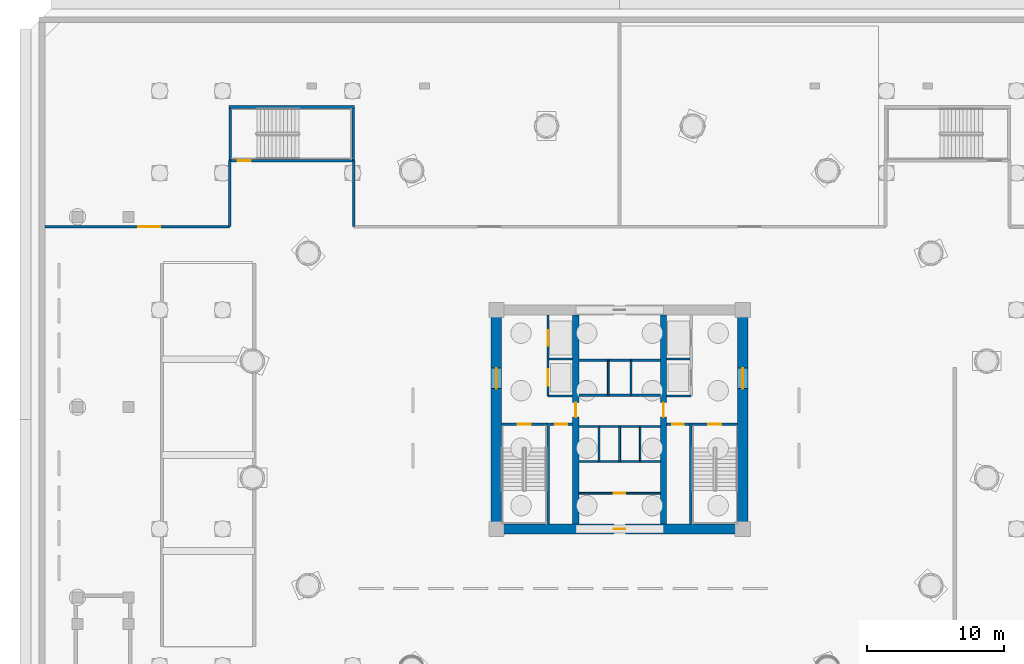
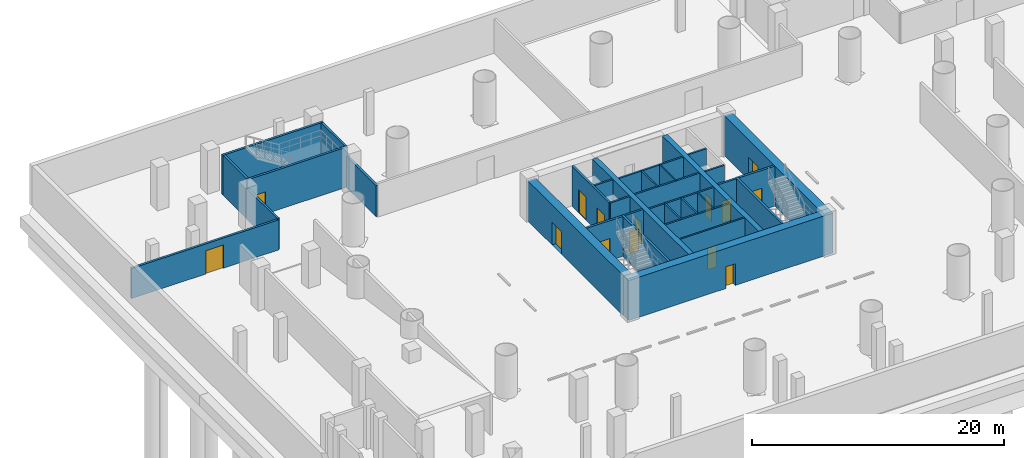
# One storey, part 3 of 11: 33 walls, 14 doors, 14 openings.
"""IFC4 building model written with IfcOpenShell, lengths in metres."""

from ifc_helpers import new_model, si_unit, direction, frame, frame_2d, origin, place, context, subcontext, project, spatial, rectangle, extrude, source, transform, mapped, material, layer, layer_set, type_object, element, fill, save


model = new_model("IFC4")

# Units and contexts
model_context = context("Model", 3, precision=1e-05, world=origin(), true_north=direction((-0.2419218956, 0.970295726276)))
body_context = subcontext(model_context, "Body", "Model", "MODEL_VIEW")
ifc_project = project(units=[si_unit("LENGTHUNIT", "METRE"), si_unit("AREAUNIT", "SQUARE_METRE"), si_unit("VOLUMEUNIT", "CUBIC_METRE"), si_unit("PLANEANGLEUNIT", "RADIAN"), si_unit("MASSUNIT", "GRAM", prefix="KILO")], contexts=[model_context])

# Site, building, storey
site_placement = place(None, origin())
site = spatial("IfcSite", under=ifc_project, at=site_placement, CompositionType="ELEMENT")
building_placement = place(site_placement, origin())
building = spatial("IfcBuilding", under=site, at=building_placement, Name="Cobrevalo Terracotta Tower", CompositionType="ELEMENT")
storey_placement = place(building_placement, frame((0.0, 0.0, -8.39990234375)))
storey = spatial("IfcBuildingStorey", under=building, at=storey_placement, Name="B02", CompositionType="ELEMENT", Elevation=-8.39990234375)

# Wall, opening, door
ifc_material_1 = material(Name="Concrete C60", Category="concrete")
ifc_layer_1 = layer(ifc_material_1, 0.75)
ifc_layer_set_1 = layer_set([ifc_layer_1], Name="Concrete C60")
wall_type_1 = type_object("IfcWallType", Name="Core shear wall 750 mm Concrete C60", PredefinedType="SHEAR", material=ifc_layer_set_1)
wall_1_placement = place(storey_placement, frame((28.625, 18.800048828125, 0.0), z_axis=(0.0, 0.0, 1.0), x_axis=(1.0, 0.0, 0.0)))
wall_1 = element("IfcWall", 1, at=wall_1_placement, inside=storey, type_object=wall_type_1, Name="B02 south core shear wall", PredefinedType="SHEAR", context=body_context, shape_type="SweptSolid", body=[
    extrude(rectangle(XDim=18.75, YDim=0.75, at=frame_2d((9.375, 0.0))), origin(), (0.0, 0.0, 1.0), 3.8798828125),
])
opening_1_placement = place(wall_1_placement, frame((8.949951171875, 0.0, 0.0)))
opening_1 = element("IfcOpeningElement", 2, at=opening_1_placement, cuts=wall_1, Name="Opening ID-22", PredefinedType="OPENING", context=body_context, shape_type="SweptSolid", body=[
    extrude(rectangle(XDim=0.85009765625, YDim=2.10009765625, at=frame_2d((0.425048828125, 1.050048828125))), frame((0.0, 0.385009765625, 0.0), z_axis=(0.0, -1.0, 0.0), x_axis=(1.0, 0.0, 0.0)), (0.0, 0.0, 1.0), 0.77001953125),
])
ifc_material_2 = material(Name="Powder-coated steel", Category="steel")
door_type_1 = type_object("IfcDoorType", Name="Riser shaft & meter closet fire access door 850x2100 EI 60", OperationType="NOTDEFINED", PredefinedType="DOOR", material=ifc_material_2)
shared_shape_1 = source(origin(), body_context, "Body", "SweptSolid", [
    extrude(rectangle(XDim=0.85009765625, YDim=2.10009765625, at=frame_2d((0.425048828125, 1.050048828125))), frame((0.0, 0.02490234375, 0.0), z_axis=(0.0, -1.0, 0.0), x_axis=(1.0, 0.0, 0.0)), (0.0, 0.0, 1.0), 0.050048828125),
])
door_1_placement = place(opening_1_placement, origin())
door_1 = element("IfcDoor", 3, at=door_1_placement, inside=storey, type_object=door_type_1, Name="B02 core south plant door Smoke Extract Fan Plant", OperationType="SINGLE_SWING_RIGHT", OverallHeight=2.10009765625, OverallWidth=0.85009765625, PredefinedType="DOOR", context=body_context, shape_type="MappedRepresentation", body=[
    mapped(shared_shape_1, transform((0.0, 0.0, 0.0), scale=1.0)),
])
fill(opening_1, door_1)

wall_2_placement = place(storey_placement, frame((29.0, 19.175048828125, 0.0), z_axis=(0.0, 0.0, 1.0), x_axis=(0.0, 1.0, 0.0)))
wall_2 = element("IfcWall", 4, at=wall_2_placement, inside=storey, type_object=wall_type_1, Name="B02 west core shear wall", PredefinedType="SHEAR", context=body_context, shape_type="SweptSolid", body=[
    extrude(rectangle(XDim=15.25, YDim=0.75, at=frame_2d((7.625, 0.0))), origin(), (0.0, 0.0, 1.0), 3.8798828125),
])
opening_2_placement = place(wall_2_placement, frame((9.875, 0.0, 0.0)))
opening_2 = element("IfcOpeningElement", 5, at=opening_2_placement, cuts=wall_2, Name="Opening ID-14", PredefinedType="OPENING", context=body_context, shape_type="SweptSolid", body=[
    extrude(rectangle(XDim=1.5, YDim=2.199951171875, at=frame_2d((0.75, 1.10009765625))), frame((0.0, 0.385009765625, 0.0), z_axis=(0.0, -1.0, 0.0), x_axis=(1.0, 0.0, 0.0)), (0.0, 0.0, 1.0), 0.77001953125),
])
ifc_material_3 = material(Name="Galvanized fire-rated steel", Category="steel")
door_type_2 = type_object("IfcDoorType", Name="Core cross-lobby double fire door 1500x2200 EI 90", OperationType="NOTDEFINED", PredefinedType="DOOR", material=ifc_material_3)
shared_shape_2 = source(origin(), body_context, "Body", "SweptSolid", [
    extrude(rectangle(XDim=1.5, YDim=2.199951171875, at=frame_2d((0.75, 1.10009765625))), frame((0.0, 0.02490234375, 0.0), z_axis=(0.0, -1.0, 0.0), x_axis=(1.0, 0.0, 0.0)), (0.0, 0.0, 1.0), 0.050048828125),
])
door_2_placement = place(opening_2_placement, origin())
door_2 = element("IfcDoor", 6, at=door_2_placement, inside=storey, type_object=door_type_2, Name="B02 west firefighting lobby entrance door", OperationType="DOUBLE_DOOR_SINGLE_SWING", OverallHeight=2.199951171875, OverallWidth=1.5, PredefinedType="DOOR", context=body_context, shape_type="MappedRepresentation", body=[
    mapped(shared_shape_2, transform((0.0, 0.0, 0.0), scale=1.0)),
])
fill(opening_2, door_2)

wall_3_placement = place(storey_placement, frame((47.0, 19.175048828125, 0.0), z_axis=(0.0, 0.0, 1.0), x_axis=(0.0, 1.0, 0.0)))
wall_3 = element("IfcWall", 7, at=wall_3_placement, inside=storey, type_object=wall_type_1, Name="B02 east core shear wall", PredefinedType="SHEAR", context=body_context, shape_type="SweptSolid", body=[
    extrude(rectangle(XDim=15.25, YDim=0.75, at=frame_2d((7.625, 0.0))), origin(), (0.0, 0.0, 1.0), 3.8798828125),
])
opening_3_placement = place(wall_3_placement, frame((9.875, 0.0, 0.0)))
opening_3 = element("IfcOpeningElement", 8, at=opening_3_placement, cuts=wall_3, Name="Opening ID-14", PredefinedType="OPENING", context=body_context, shape_type="SweptSolid", body=[
    extrude(rectangle(XDim=1.5, YDim=2.199951171875, at=frame_2d((0.75, 1.10009765625))), frame((0.0, 0.385009765625, 0.0), z_axis=(0.0, -1.0, 0.0), x_axis=(1.0, 0.0, 0.0)), (0.0, 0.0, 1.0), 0.77001953125),
])
door_3_placement = place(opening_3_placement, frame((1.5, 0.0, 0.0), z_axis=(0.0, 0.0, 1.0), x_axis=(-1.0, 0.0, 0.0)))
door_3 = element("IfcDoor", 9, at=door_3_placement, inside=storey, type_object=door_type_2, Name="B02 east firefighting lobby entrance door", OperationType="DOUBLE_DOOR_SINGLE_SWING", OverallHeight=2.199951171875, OverallWidth=1.5, PredefinedType="DOOR", context=body_context, shape_type="MappedRepresentation", body=[
    mapped(shared_shape_2, transform((0.0, 0.0, 0.0), scale=1.0)),
])
fill(opening_3, door_3)

# Walls
ifc_material_4 = material(Name="Gypsum board on steel stud", Category="steel")
ifc_layer_2 = layer(ifc_material_4, 0.159912109375)
ifc_layer_set_2 = layer_set([ifc_layer_2], Name="Gypsum board on steel stud")
wall_type_2 = type_object("IfcWallType", Name="Fire-rated corridor acoustic partition wall 160 mm", PredefinedType="PARTITIONING", material=ifc_layer_set_2)
wall_4_placement = place(storey_placement, frame((32.860107421875, 31.219970703125, 0.0), z_axis=(0.0, 0.0, 1.0), x_axis=(1.0, 0.0, 0.0)))
element("IfcWall", 10, at=wall_4_placement, inside=storey, type_object=wall_type_2, Name="B02 interior partition IW-B02-FF1-M", PredefinedType="PARTITIONING", context=body_context, shape_type="SweptSolid", body=[
    extrude(rectangle(XDim=1.71484375, YDim=0.159912109375, at=frame_2d((0.857421875, 0.0))), origin(), (0.0, 0.0, 1.0), 3.8798828125),
])
wall_5_placement = place(storey_placement, frame((32.77001953125, 28.52001953125, 0.0), z_axis=(0.0, 0.0, 1.0), x_axis=(1.0, 0.0, 0.0)))
element("IfcWall", 11, at=wall_5_placement, inside=storey, type_object=wall_type_2, Name="B02 interior partition IW-B02-FF1-S", PredefinedType="PARTITIONING", context=body_context, shape_type="SweptSolid", body=[
    extrude(rectangle(XDim=1.804931640625, YDim=0.159912109375, at=frame_2d((0.90234375, 0.0))), origin(), (0.0, 0.0, 1.0), 3.8798828125),
])
wall_6_placement = place(storey_placement, frame((41.425048828125, 31.219970703125, 0.0), z_axis=(0.0, 0.0, 1.0), x_axis=(1.0, 0.0, 0.0)))
element("IfcWall", 12, at=wall_6_placement, inside=storey, type_object=wall_type_2, Name="B02 interior partition IW-B02-FF2-M", PredefinedType="PARTITIONING", context=body_context, shape_type="SweptSolid", body=[
    extrude(rectangle(XDim=1.71484375, YDim=0.159912109375, at=frame_2d((0.857421875, 0.0))), origin(), (0.0, 0.0, 1.0), 3.8798828125),
])
wall_7_placement = place(storey_placement, frame((41.425048828125, 28.52001953125, 0.0), z_axis=(0.0, 0.0, 1.0), x_axis=(1.0, 0.0, 0.0)))
element("IfcWall", 13, at=wall_7_placement, inside=storey, type_object=wall_type_2, Name="B02 interior partition IW-B02-FF2-S", PredefinedType="PARTITIONING", context=body_context, shape_type="SweptSolid", body=[
    extrude(rectangle(XDim=1.804931640625, YDim=0.159912109375, at=frame_2d((0.90234375, 0.0))), origin(), (0.0, 0.0, 1.0), 3.8798828125),
])
for number, where, z_axis, x_axis, name in (
    (14, (35.02490234375, 28.56005859375, 0.0), (0.0, 0.0, 1.0), (1.0, 0.0, 0.0), "B02 interior partition IW-B02-LB-S"),
    (15, (35.02490234375, 31.1201171875, 0.0), (0.0, 0.0, 1.0), (1.0, 0.0, 0.0), "B02 interior partition IW-B02-LB-N"),
    (16, (35.02490234375, 26.280029296875, 0.0), (0.0, 0.0, 1.0), (1.0, 0.0, 0.0), "B02 interior partition IW-B02-MB-N"),
    (17, (35.02490234375, 23.719970703125, 0.0), (0.0, 0.0, 1.0), (1.0, 0.0, 0.0), "B02 interior partition IW-B02-MB-S"),
):
    element("IfcWall", number, at=place(storey_placement, frame(where, z_axis=z_axis, x_axis=x_axis)), inside=storey, type_object=wall_type_2, Name=name, PredefinedType="PARTITIONING", context=body_context, shape_type="SweptSolid", body=[
        extrude(rectangle(XDim=5.9501953125, YDim=0.159912109375, at=frame_2d((2.97509765625, 0.0))), origin(), (0.0, 0.0, 1.0), 3.8798828125),
    ])

# Wall, opening, door
ifc_layer_3 = layer(ifc_material_4, 0.179931640625)
ifc_layer_set_3 = layer_set([ifc_layer_3], Name="Gypsum board on steel stud")
wall_type_3 = type_object("IfcWallType", Name="Fire-rated shaft & lobby acoustic partition wall 180 mm", PredefinedType="PARTITIONING", material=ifc_layer_set_3)
wall_8_placement = place(storey_placement, frame((32.89990234375, 26.449951171875, 0.0), z_axis=(0.0, 0.0, 1.0), x_axis=(1.0, 0.0, 0.0)))
wall_8 = element("IfcWall", 18, at=wall_8_placement, inside=storey, type_object=wall_type_3, Name="B02 interior partition IW-B02-RSW-N", PredefinedType="PARTITIONING", context=body_context, shape_type="SweptSolid", body=[
    extrude(rectangle(XDim=1.675048828125, YDim=0.179931640625, at=frame_2d((0.83740234375, 0.0))), origin(), (0.0, 0.0, 1.0), 3.8798828125),
])
opening_4_placement = place(wall_8_placement, frame((0.41259765625, 0.0, 0.0)))
opening_4 = element("IfcOpeningElement", 19, at=opening_4_placement, cuts=wall_8, Name="Opening ID-22", PredefinedType="OPENING", context=body_context, shape_type="SweptSolid", body=[
    extrude(rectangle(XDim=0.85009765625, YDim=2.10009765625, at=frame_2d((0.425048828125, 1.050048828125))), frame((0.0, 0.10009765625, 0.0), z_axis=(0.0, -1.0, 0.0), x_axis=(1.0, 0.0, 0.0)), (0.0, 0.0, 1.0), 0.199951171875),
])
door_4_placement = place(opening_4_placement, origin())
door_4 = element("IfcDoor", 20, at=door_4_placement, inside=storey, type_object=door_type_1, Name="B02 riser access door RSW", OperationType="SINGLE_SWING_LEFT", OverallHeight=2.10009765625, OverallWidth=0.85009765625, PredefinedType="DOOR", context=body_context, shape_type="MappedRepresentation", body=[
    mapped(shared_shape_1, transform((0.0, 0.0, 0.0), scale=1.0)),
])
fill(opening_4, door_4)

wall_9_placement = place(storey_placement, frame((41.425048828125, 26.449951171875, 0.0), z_axis=(0.0, 0.0, 1.0), x_axis=(1.0, 0.0, 0.0)))
wall_9 = element("IfcWall", 21, at=wall_9_placement, inside=storey, type_object=wall_type_3, Name="B02 interior partition IW-B02-RSE-N", PredefinedType="PARTITIONING", context=body_context, shape_type="SweptSolid", body=[
    extrude(rectangle(XDim=1.675048828125, YDim=0.179931640625, at=frame_2d((0.83740234375, 0.0))), origin(), (0.0, 0.0, 1.0), 3.8798828125),
])
opening_5_placement = place(wall_9_placement, frame((0.41259765625, 0.0, 0.0)))
opening_5 = element("IfcOpeningElement", 22, at=opening_5_placement, cuts=wall_9, Name="Opening ID-22", PredefinedType="OPENING", context=body_context, shape_type="SweptSolid", body=[
    extrude(rectangle(XDim=0.85009765625, YDim=2.10009765625, at=frame_2d((0.425048828125, 1.050048828125))), frame((0.0, 0.10009765625, 0.0), z_axis=(0.0, -1.0, 0.0), x_axis=(1.0, 0.0, 0.0)), (0.0, 0.0, 1.0), 0.199951171875),
])
door_5_placement = place(opening_5_placement, origin())
door_5 = element("IfcDoor", 23, at=door_5_placement, inside=storey, type_object=door_type_1, Name="B02 riser access door RSE", OperationType="SINGLE_SWING_RIGHT", OverallHeight=2.10009765625, OverallWidth=0.85009765625, PredefinedType="DOOR", context=body_context, shape_type="MappedRepresentation", body=[
    mapped(shared_shape_1, transform((0.0, 0.0, 0.0), scale=1.0)),
])
fill(opening_5, door_5)

# Wall, openings, doors
wall_10_placement = place(storey_placement, frame((32.77001953125, 28.52001953125, 0.0), z_axis=(0.0, 0.0, 1.0), x_axis=(0.0, 1.0, 0.0)))
wall_10 = element("IfcWall", 24, at=wall_10_placement, inside=storey, type_object=wall_type_3, Name="B02 interior partition IW-B02-FF1-W", PredefinedType="PARTITIONING", context=body_context, shape_type="SweptSolid", body=[
    extrude(rectangle(XDim=5.905029296875, YDim=0.179931640625, at=frame_2d((2.95263671875, 0.0))), origin(), (0.0, 0.0, 1.0), 3.8798828125),
])
opening_6_placement = place(wall_10_placement, frame((3.655029296875, 0.0, 0.0)))
opening_6 = element("IfcOpeningElement", 25, at=opening_6_placement, cuts=wall_10, Name="Opening LD-02", PredefinedType="OPENING", context=body_context, shape_type="SweptSolid", body=[
    extrude(rectangle(XDim=1.14990234375, YDim=2.199951171875, at=frame_2d((0.574951171875, 1.10009765625))), frame((0.0, 0.10009765625, 0.0), z_axis=(0.0, -1.0, 0.0), x_axis=(1.0, 0.0, 0.0)), (0.0, 0.0, 1.0), 0.199951171875),
])
opening_7_placement = place(wall_10_placement, frame((0.72998046875, 0.0, 0.0)))
opening_7 = element("IfcOpeningElement", 26, at=opening_7_placement, cuts=wall_10, Name="Opening LD-03", PredefinedType="OPENING", context=body_context, shape_type="SweptSolid", body=[
    extrude(rectangle(XDim=1.199951171875, YDim=2.25, at=frame_2d((0.60009765625, 1.125))), frame((0.0, 0.10009765625, 0.0), z_axis=(0.0, -1.0, 0.0), x_axis=(1.0, 0.0, 0.0)), (0.0, 0.0, 1.0), 0.199951171875),
])
ifc_material_5 = material(Name="Brushed stainless steel", Category="steel")
door_type_3 = type_object("IfcDoorType", Name="Firefighting lift landing bi-parting sliding door 1150x2200 EI 120", OperationType="DOUBLE_DOOR_SLIDING", PredefinedType="DOOR", material=ifc_material_5)
shared_shape_3 = source(origin(), body_context, "Body", "SweptSolid", [
    extrude(rectangle(XDim=1.14990234375, YDim=2.199951171875, at=frame_2d((0.574951171875, 1.10009765625))), frame((0.0, 0.02490234375, 0.0), z_axis=(0.0, -1.0, 0.0), x_axis=(1.0, 0.0, 0.0)), (0.0, 0.0, 1.0), 0.050048828125),
])
door_6_placement = place(opening_6_placement, origin())
door_6 = element("IfcDoor", 27, at=door_6_placement, inside=storey, type_object=door_type_3, Name="B02 lift landing door FF-1", OperationType="DOUBLE_DOOR_SLIDING", OverallHeight=2.199951171875, OverallWidth=1.14990234375, PredefinedType="DOOR", context=body_context, shape_type="MappedRepresentation", body=[
    mapped(shared_shape_3, transform((0.0, 0.0, 0.0), scale=1.0)),
])
fill(opening_6, door_6)
door_type_4 = type_object("IfcDoorType", Name="Service lift landing bi-parting sliding door 1200x2250 EI 120", OperationType="DOUBLE_DOOR_SLIDING", PredefinedType="DOOR", material=ifc_material_5)
shared_shape_4 = source(origin(), body_context, "Body", "SweptSolid", [
    extrude(rectangle(XDim=1.199951171875, YDim=2.25, at=frame_2d((0.60009765625, 1.125))), frame((0.0, 0.02490234375, 0.0), z_axis=(0.0, -1.0, 0.0), x_axis=(1.0, 0.0, 0.0)), (0.0, 0.0, 1.0), 0.050048828125),
])
door_7_placement = place(opening_7_placement, origin())
door_7 = element("IfcDoor", 28, at=door_7_placement, inside=storey, type_object=door_type_4, Name="B02 lift landing door SV-1", OperationType="DOUBLE_DOOR_SLIDING", OverallHeight=2.25, OverallWidth=1.199951171875, PredefinedType="DOOR", context=body_context, shape_type="MappedRepresentation", body=[
    mapped(shared_shape_4, transform((0.0, 0.0, 0.0), scale=1.0)),
])
fill(opening_7, door_7)

# Wall, opening, door
ifc_material_6 = material(Name="Autoclaved aerated concrete block", Category="concrete")
ifc_layer_4 = layer(ifc_material_6, 0.199951171875)
ifc_layer_set_4 = layer_set([ifc_layer_4], Name="Autoclaved aerated concrete block")
wall_type_4 = type_object("IfcWallType", Name="Fire-rated stair, shaft & demising masonry wall 200 mm", PredefinedType="PARTITIONING", material=ifc_layer_set_4)
wall_11_placement = place(storey_placement, frame((-3.969970703125, 40.8798828125, 0.0), z_axis=(0.0, 0.0, 1.0), x_axis=(1.0, 0.0, 0.0)))
wall_11 = element("IfcWall", 29, at=wall_11_placement, inside=storey, type_object=wall_type_4, Name="B02 interior partition IW-B02-BN-1", PredefinedType="PARTITIONING", context=body_context, shape_type="SweptSolid", body=[
    extrude(rectangle(XDim=13.489990234375, YDim=0.199951171875, at=frame_2d((6.7451171875, 0.0))), origin(), (0.0, 0.0, 1.0), 2.914794921875),
])
opening_8_placement = place(wall_11_placement, frame((6.80029296875, 0.0, 0.0)))
opening_8 = element("IfcOpeningElement", 30, at=opening_8_placement, cuts=wall_11, Name="Opening ID-06", PredefinedType="OPENING", context=body_context, shape_type="SweptSolid", body=[
    extrude(rectangle(XDim=1.60009765625, YDim=2.25, at=frame_2d((0.800048828125, 1.125))), frame((0.0, 0.10986328125, 0.0), z_axis=(0.0, -1.0, 0.0), x_axis=(1.0, 0.0, 0.0)), (0.0, 0.0, 1.0), 0.219970703125),
])
door_type_5 = type_object("IfcDoorType", Name="Plant & mechanical room double fire door 1600x2250 EI 90", OperationType="NOTDEFINED", PredefinedType="DOOR", material=ifc_material_3)
shared_shape_5 = source(origin(), body_context, "Body", "SweptSolid", [
    extrude(rectangle(XDim=1.60009765625, YDim=2.25, at=frame_2d((0.800048828125, 1.125))), frame((0.0, 0.02490234375, 0.0), z_axis=(0.0, -1.0, 0.0), x_axis=(1.0, 0.0, 0.0)), (0.0, 0.0, 1.0), 0.050048828125),
])
door_8_placement = place(opening_8_placement, origin())
door_8 = element("IfcDoor", 31, at=door_8_placement, inside=storey, type_object=door_type_5, Name="Fire Pump and Sprinkler Tank Plant door", OperationType="DOUBLE_DOOR_SINGLE_SWING", OverallHeight=2.25, OverallWidth=1.60009765625, PredefinedType="DOOR", context=body_context, shape_type="MappedRepresentation", body=[
    mapped(shared_shape_5, transform((0.0, 0.0, 0.0), scale=1.0)),
])
fill(opening_8, door_8)

# Walls
for number, where, z_axis, x_axis, name in (
    (32, (9.52001953125, 40.8798828125, 0.0), (0.0, 0.0, 1.0), (0.0, 1.0, 0.0), "B02 interior partition IW-B02-BN-1W"),
    (33, (18.580078125, 40.8798828125, 0.0), (0.0, 0.0, 1.0), (0.0, 1.0, 0.0), "B02 interior partition IW-B02-BN-2W"),
):
    element("IfcWall", number, at=place(storey_placement, frame(where, z_axis=z_axis, x_axis=x_axis)), inside=storey, type_object=wall_type_4, Name=name, PredefinedType="PARTITIONING", context=body_context, shape_type="SweptSolid", body=[
        extrude(rectangle(XDim=4.840087890625, YDim=0.199951171875, at=frame_2d((2.419921875, 0.0))), origin(), (0.0, 0.0, 1.0), 3.014892578125),
    ])
ifc_layer_5 = layer(ifc_material_6, 0.1201171875)
ifc_layer_set_5 = layer_set([ifc_layer_5], Name="Autoclaved aerated concrete block")
wall_type_5 = type_object("IfcWallType", Name="Fire-rated wet-room & core service partition 120 mm", PredefinedType="PARTITIONING", material=ifc_layer_set_5)
for number, where, z_axis, x_axis, name in (
    (34, (37.169921875, 28.56005859375, 0.0), (0.0, 0.0, 1.0), (0.0, 1.0, 0.0), "B02 interior partition IW-B02-LB-D1"),
    (35, (38.830078125, 28.56005859375, 0.0), (0.0, 0.0, 1.0), (0.0, 1.0, 0.0), "B02 interior partition IW-B02-LB-D2"),
    (36, (36.5, 23.719970703125, 0.0), (0.0, 0.0, 1.0), (0.0, 1.0, 0.0), "B02 interior partition IW-B02-MB-D1"),
    (37, (39.5, 23.719970703125, 0.0), (0.0, 0.0, 1.0), (0.0, 1.0, 0.0), "B02 interior partition IW-B02-MB-D3"),
):
    element("IfcWall", number, at=place(storey_placement, frame(where, z_axis=z_axis, x_axis=x_axis)), inside=storey, type_object=wall_type_5, Name=name, PredefinedType="PARTITIONING", context=body_context, shape_type="SweptSolid", body=[
        extrude(rectangle(XDim=2.56005859375, YDim=0.1201171875, at=frame_2d((1.280029296875, 0.0))), origin(), (0.0, 0.0, 1.0), 3.8798828125),
    ])

# Wall, opening, door
ifc_material_7 = material(Name="Concrete C55", Category="concrete")
ifc_layer_6 = layer(ifc_material_7, 0.449951171875)
ifc_layer_set_6 = layer_set([ifc_layer_6], Name="Concrete C55")
wall_type_6 = type_object("IfcWallType", Name="Internal core shear web wall 450 mm Concrete C55", PredefinedType="SHEAR", material=ifc_layer_set_6)
wall_12_placement = place(storey_placement, frame((34.800048828125, 19.175048828125, 0.0), z_axis=(0.0, 0.0, 1.0), x_axis=(0.0, 1.0, 0.0)))
wall_12 = element("IfcWall", 38, at=wall_12_placement, inside=storey, type_object=wall_type_6, Name="B02 internal core shear wall WEB-W", PredefinedType="SHEAR", context=body_context, shape_type="SweptSolid", body=[
    extrude(rectangle(XDim=15.25, YDim=0.449951171875, at=frame_2d((7.625, 0.0))), origin(), (0.0, 0.0, 1.0), 3.8798828125),
])
opening_9_placement = place(wall_12_placement, frame((7.800048828125, 0.0, 0.0)))
opening_9 = element("IfcOpeningElement", 39, at=opening_9_placement, cuts=wall_12, Name="Opening ID-11", PredefinedType="OPENING", context=body_context, shape_type="SweptSolid", body=[
    extrude(rectangle(XDim=1.050048828125, YDim=2.14990234375, at=frame_2d((0.52490234375, 1.074951171875))), frame((0.0, 0.23486328125, 0.0), z_axis=(0.0, -1.0, 0.0), x_axis=(1.0, 0.0, 0.0)), (0.0, 0.0, 1.0), 0.469970703125),
])
door_type_6 = type_object("IfcDoorType", Name="Core concourse cross fire door 1050x2150 EI 90", OperationType="NOTDEFINED", PredefinedType="DOOR", material=ifc_material_3)
shared_shape_6 = source(origin(), body_context, "Body", "SweptSolid", [
    extrude(rectangle(XDim=1.050048828125, YDim=2.14990234375, at=frame_2d((0.52490234375, 1.074951171875))), frame((0.0, 0.02490234375, 0.0), z_axis=(0.0, -1.0, 0.0), x_axis=(1.0, 0.0, 0.0)), (0.0, 0.0, 1.0), 0.050048828125),
])
door_9_placement = place(opening_9_placement, origin())
door_9 = element("IfcDoor", 40, at=door_9_placement, inside=storey, type_object=door_type_6, Name="B02 west core concourse cross door", OperationType="SINGLE_SWING_LEFT", OverallHeight=2.14990234375, OverallWidth=1.050048828125, PredefinedType="DOOR", context=body_context, shape_type="MappedRepresentation", body=[
    mapped(shared_shape_6, transform((0.0, 0.0, 0.0), scale=1.0)),
])
fill(opening_9, door_9)

wall_13_placement = place(storey_placement, frame((41.199951171875, 19.175048828125, 0.0), z_axis=(0.0, 0.0, 1.0), x_axis=(0.0, 1.0, 0.0)))
wall_13 = element("IfcWall", 41, at=wall_13_placement, inside=storey, type_object=wall_type_6, Name="B02 internal core shear wall WEB-E", PredefinedType="SHEAR", context=body_context, shape_type="SweptSolid", body=[
    extrude(rectangle(XDim=15.25, YDim=0.449951171875, at=frame_2d((7.625, 0.0))), origin(), (0.0, 0.0, 1.0), 3.8798828125),
])
opening_10_placement = place(wall_13_placement, frame((7.800048828125, 0.0, 0.0)))
opening_10 = element("IfcOpeningElement", 42, at=opening_10_placement, cuts=wall_13, Name="Opening ID-11", PredefinedType="OPENING", context=body_context, shape_type="SweptSolid", body=[
    extrude(rectangle(XDim=1.050048828125, YDim=2.14990234375, at=frame_2d((0.52490234375, 1.074951171875))), frame((0.0, 0.23486328125, 0.0), z_axis=(0.0, -1.0, 0.0), x_axis=(1.0, 0.0, 0.0)), (0.0, 0.0, 1.0), 0.469970703125),
])
door_10_placement = place(opening_10_placement, frame((1.050048828125, 0.0, 0.0), z_axis=(0.0, 0.0, 1.0), x_axis=(-1.0, 0.0, 0.0)))
door_10 = element("IfcDoor", 43, at=door_10_placement, inside=storey, type_object=door_type_6, Name="B02 east core concourse cross door", OperationType="SINGLE_SWING_RIGHT", OverallHeight=2.14990234375, OverallWidth=1.050048828125, PredefinedType="DOOR", context=body_context, shape_type="MappedRepresentation", body=[
    mapped(shared_shape_6, transform((0.0, 0.0, 0.0), scale=1.0)),
])
fill(opening_10, door_10)

# Wall
ifc_layer_7 = layer(ifc_material_6, 0.139892578125)
ifc_layer_set_7 = layer_set([ifc_layer_7], Name="Autoclaved aerated concrete block")
wall_type_7 = type_object("IfcWallType", Name="Moisture-resistant wet-room & core service partition 140 mm", PredefinedType="PARTITIONING", material=ifc_layer_set_7)
wall_14_placement = place(storey_placement, frame((38.0, 23.719970703125, 0.0), z_axis=(0.0, 0.0, 1.0), x_axis=(0.0, 1.0, 0.0)))
element("IfcWall", 44, at=wall_14_placement, inside=storey, type_object=wall_type_7, Name="B02 interior partition IW-B02-MB-D2", PredefinedType="PARTITIONING", context=body_context, shape_type="SweptSolid", body=[
    extrude(rectangle(XDim=2.56005859375, YDim=0.139892578125, at=frame_2d((1.280029296875, 0.0))), origin(), (0.0, 0.0, 1.0), 3.8798828125),
])

# Wall, opening, door
wall_15_placement = place(storey_placement, frame((35.02490234375, 21.407470703125, 0.0), z_axis=(0.0, 0.0, 1.0), x_axis=(1.0, 0.0, 0.0)))
wall_15 = element("IfcWall", 45, at=wall_15_placement, inside=storey, type_object=wall_type_7, Name="B02 interior partition IW-B02-KVS-H", PredefinedType="PARTITIONING", context=body_context, shape_type="SweptSolid", body=[
    extrude(rectangle(XDim=5.9501953125, YDim=0.139892578125, at=frame_2d((2.97509765625, 0.0))), origin(), (0.0, 0.0, 1.0), 3.8798828125),
])
opening_11_placement = place(wall_15_placement, frame((2.550048828125, 0.0, 0.0)))
opening_11 = element("IfcOpeningElement", 46, at=opening_11_placement, cuts=wall_15, Name="Opening ID-22", PredefinedType="OPENING", context=body_context, shape_type="SweptSolid", body=[
    extrude(rectangle(XDim=0.85009765625, YDim=2.10009765625, at=frame_2d((0.425048828125, 1.050048828125))), frame((0.0, 0.080078125, 0.0), z_axis=(0.0, -1.0, 0.0), x_axis=(1.0, 0.0, 0.0)), (0.0, 0.0, 1.0), 0.159912109375),
])
door_11_placement = place(opening_11_placement, origin())
door_11 = element("IfcDoor", 47, at=door_11_placement, inside=storey, type_object=door_type_1, Name="B02 core manifold inner door", OperationType="SINGLE_SWING_LEFT", OverallHeight=2.10009765625, OverallWidth=0.85009765625, PredefinedType="DOOR", context=body_context, shape_type="MappedRepresentation", body=[
    mapped(shared_shape_1, transform((0.0, 0.0, 0.0), scale=1.0)),
])
fill(opening_11, door_11)

# Wall
ifc_material_8 = material(Name="Concrete C50", Category="concrete")
ifc_layer_8 = layer(ifc_material_8, 0.199951171875)
ifc_layer_set_8 = layer_set([ifc_layer_8], Name="Concrete C50")
wall_type_8 = type_object("IfcWallType", Name="Structural core & podium stair-shaft RC wall 200 mm Concrete C50", PredefinedType="SOLIDWALL", material=ifc_layer_set_8)
wall_16_placement = place(storey_placement, frame((32.794921875, 19.175048828125, 0.0), z_axis=(0.0, 0.0, 1.0), x_axis=(0.0, 1.0, 0.0)))
element("IfcWall", 48, at=wall_16_placement, inside=storey, type_object=wall_type_8, Name="B02 ST-1 east structural shaft wall", PredefinedType="SOLIDWALL", context=body_context, shape_type="SweptSolid", body=[
    extrude(rectangle(XDim=7.375, YDim=0.199951171875, at=frame_2d((3.6875, 0.0))), origin(), (0.0, 0.0, 1.0), 3.8798828125),
])

# Wall, opening, door
wall_17_placement = place(storey_placement, frame((29.375, 26.449951171875, 0.0), z_axis=(0.0, 0.0, 1.0), x_axis=(1.0, 0.0, 0.0)))
wall_17 = element("IfcWall", 49, at=wall_17_placement, inside=storey, type_object=wall_type_8, Name="B02 ST-1 north structural shaft wall", PredefinedType="SOLIDWALL", context=body_context, shape_type="SweptSolid", body=[
    extrude(rectangle(XDim=3.320068359375, YDim=0.199951171875, at=frame_2d((1.66015625, 0.0))), origin(), (0.0, 0.0, 1.0), 3.8798828125),
])
opening_12_placement = place(wall_17_placement, frame((1.18505859375, 0.0, 0.0)))
opening_12 = element("IfcOpeningElement", 50, at=opening_12_placement, cuts=wall_17, Name="Opening ID-04", PredefinedType="OPENING", context=body_context, shape_type="SweptSolid", body=[
    extrude(rectangle(XDim=0.949951171875, YDim=2.14990234375, at=frame_2d((0.47509765625, 1.074951171875))), frame((0.0, 0.10986328125, 0.0), z_axis=(0.0, -1.0, 0.0), x_axis=(1.0, 0.0, 0.0)), (0.0, 0.0, 1.0), 0.219970703125),
])
door_type_7 = type_object("IfcDoorType", Name="Stair & firefighting lobby fire door 950x2150 EI 90", OperationType="NOTDEFINED", PredefinedType="DOOR", material=ifc_material_3)
shared_shape_7 = source(origin(), body_context, "Body", "SweptSolid", [
    extrude(rectangle(XDim=0.949951171875, YDim=2.14990234375, at=frame_2d((0.47509765625, 1.074951171875))), frame((0.0, 0.02490234375, 0.0), z_axis=(0.0, -1.0, 0.0), x_axis=(1.0, 0.0, 0.0)), (0.0, 0.0, 1.0), 0.050048828125),
])
door_12_placement = place(opening_12_placement, origin())
door_12 = element("IfcDoor", 51, at=door_12_placement, inside=storey, type_object=door_type_7, Name="B02 protected stair ST1 fire door", OperationType="SINGLE_SWING_LEFT", OverallHeight=2.14990234375, OverallWidth=0.949951171875, PredefinedType="DOOR", context=body_context, shape_type="MappedRepresentation", body=[
    mapped(shared_shape_7, transform((0.0, 0.0, 0.0), scale=1.0)),
])
fill(opening_12, door_12)

# Wall
wall_18_placement = place(storey_placement, frame((43.205078125, 19.175048828125, 0.0), z_axis=(0.0, 0.0, 1.0), x_axis=(0.0, 1.0, 0.0)))
element("IfcWall", 52, at=wall_18_placement, inside=storey, type_object=wall_type_8, Name="B02 ST-2 west structural shaft wall", PredefinedType="SOLIDWALL", context=body_context, shape_type="SweptSolid", body=[
    extrude(rectangle(XDim=7.375, YDim=0.199951171875, at=frame_2d((3.6875, 0.0))), origin(), (0.0, 0.0, 1.0), 3.8798828125),
])

# Wall, opening, door
wall_19_placement = place(storey_placement, frame((43.304931640625, 26.449951171875, 0.0), z_axis=(0.0, 0.0, 1.0), x_axis=(1.0, 0.0, 0.0)))
wall_19 = element("IfcWall", 53, at=wall_19_placement, inside=storey, type_object=wall_type_8, Name="B02 ST-2 north structural shaft wall", PredefinedType="SOLIDWALL", context=body_context, shape_type="SweptSolid", body=[
    extrude(rectangle(XDim=3.320068359375, YDim=0.199951171875, at=frame_2d((1.66015625, 0.0))), origin(), (0.0, 0.0, 1.0), 3.8798828125),
])
opening_13_placement = place(wall_19_placement, frame((1.18505859375, 0.0, 0.0)))
opening_13 = element("IfcOpeningElement", 54, at=opening_13_placement, cuts=wall_19, Name="Opening ID-04", PredefinedType="OPENING", context=body_context, shape_type="SweptSolid", body=[
    extrude(rectangle(XDim=0.949951171875, YDim=2.14990234375, at=frame_2d((0.47509765625, 1.074951171875))), frame((0.0, 0.10986328125, 0.0), z_axis=(0.0, -1.0, 0.0), x_axis=(1.0, 0.0, 0.0)), (0.0, 0.0, 1.0), 0.219970703125),
])
door_13_placement = place(opening_13_placement, frame((0.949951171875, 0.0, 0.0), z_axis=(0.0, 0.0, 1.0), x_axis=(-1.0, 0.0, 0.0)))
door_13 = element("IfcDoor", 55, at=door_13_placement, inside=storey, type_object=door_type_7, Name="B02 protected stair ST2 fire door", OperationType="SINGLE_SWING_RIGHT", OverallHeight=2.14990234375, OverallWidth=0.949951171875, PredefinedType="DOOR", context=body_context, shape_type="MappedRepresentation", body=[
    mapped(shared_shape_7, transform((0.0, 0.0, 0.0), scale=1.0)),
])
fill(opening_13, door_13)

wall_20_placement = place(storey_placement, frame((9.449951171875, 45.699951171875, 0.0), z_axis=(0.0, 0.0, 1.0), x_axis=(1.0, 0.0, 0.0)))
wall_20 = element("IfcWall", 56, at=wall_20_placement, inside=storey, type_object=wall_type_8, Name="B02 STP1 south structural shaft wall", PredefinedType="SOLIDWALL", context=body_context, shape_type="SweptSolid", body=[
    extrude(rectangle(XDim=9.199951171875, YDim=0.199951171875, at=frame_2d((4.60009765625, 0.0))), origin(), (0.0, 0.0, 1.0), 3.8798828125),
])
opening_14_placement = place(wall_20_placement, frame((0.675048828125, 0.0, 0.0)))
opening_14 = element("IfcOpeningElement", 57, at=opening_14_placement, cuts=wall_20, Name="Opening ID-04", PredefinedType="OPENING", context=body_context, shape_type="SweptSolid", body=[
    extrude(rectangle(XDim=0.949951171875, YDim=2.14990234375, at=frame_2d((0.47509765625, 1.074951171875))), frame((0.0, 0.10986328125, 0.0), z_axis=(0.0, -1.0, 0.0), x_axis=(1.0, 0.0, 0.0)), (0.0, 0.0, 1.0), 0.219970703125),
])
door_14_placement = place(opening_14_placement, frame((0.949951171875, 0.0, 0.0), z_axis=(0.0, 0.0, 1.0), x_axis=(-1.0, 0.0, 0.0)))
door_14 = element("IfcDoor", 58, at=door_14_placement, inside=storey, type_object=door_type_7, Name="B02 podium exit stair STP1 fire door", OperationType="SINGLE_SWING_LEFT", OverallHeight=2.14990234375, OverallWidth=0.949951171875, PredefinedType="DOOR", context=body_context, shape_type="MappedRepresentation", body=[
    mapped(shared_shape_7, transform((0.0, 0.0, 0.0), scale=1.0)),
])
fill(opening_14, door_14)

# Walls
wall_21_placement = place(storey_placement, frame((9.449951171875, 49.6201171875, 0.0), z_axis=(0.0, 0.0, 1.0), x_axis=(1.0, 0.0, 0.0)))
element("IfcWall", 59, at=wall_21_placement, inside=storey, type_object=wall_type_8, Name="B02 STP1 north structural shaft wall", PredefinedType="SOLIDWALL", context=body_context, shape_type="SweptSolid", body=[
    extrude(rectangle(XDim=9.199951171875, YDim=0.199951171875, at=frame_2d((4.60009765625, 0.0))), origin(), (0.0, 0.0, 1.0), 3.8798828125),
])
for number, where, z_axis, x_axis, name in (
    (60, (9.550048828125, 45.800048828125, 0.0), (0.0, 0.0, 1.0), (0.0, 1.0, 0.0), "B02 STP1 west structural shaft wall"),
    (61, (18.550048828125, 45.800048828125, 0.0), (0.0, 0.0, 1.0), (0.0, 1.0, 0.0), "B02 STP1 east structural shaft wall"),
):
    element("IfcWall", number, at=place(storey_placement, frame(where, z_axis=z_axis, x_axis=x_axis)), inside=storey, type_object=wall_type_8, Name=name, PredefinedType="SOLIDWALL", context=body_context, shape_type="SweptSolid", body=[
        extrude(rectangle(XDim=3.719970703125, YDim=0.199951171875, at=frame_2d((1.85986328125, 0.0))), origin(), (0.0, 0.0, 1.0), 3.8798828125),
    ])

save(model, "model.ifc")
